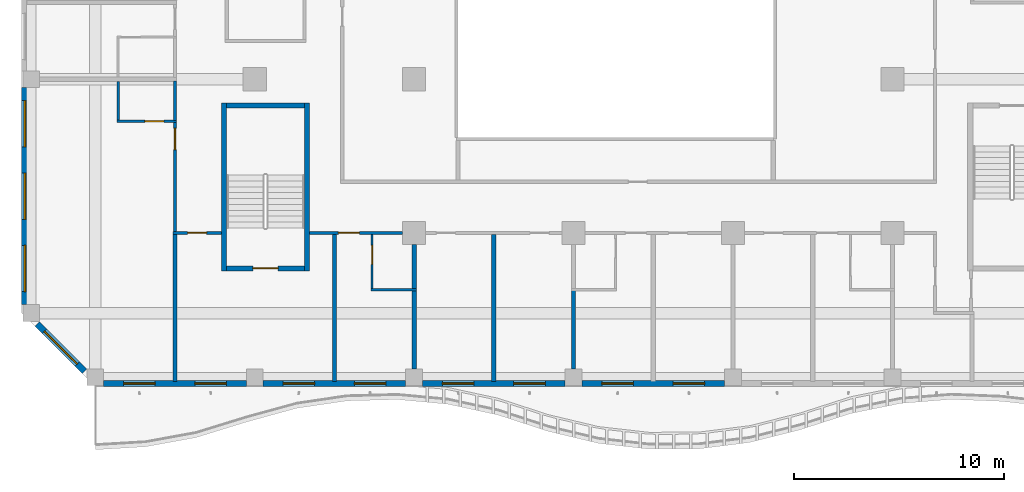
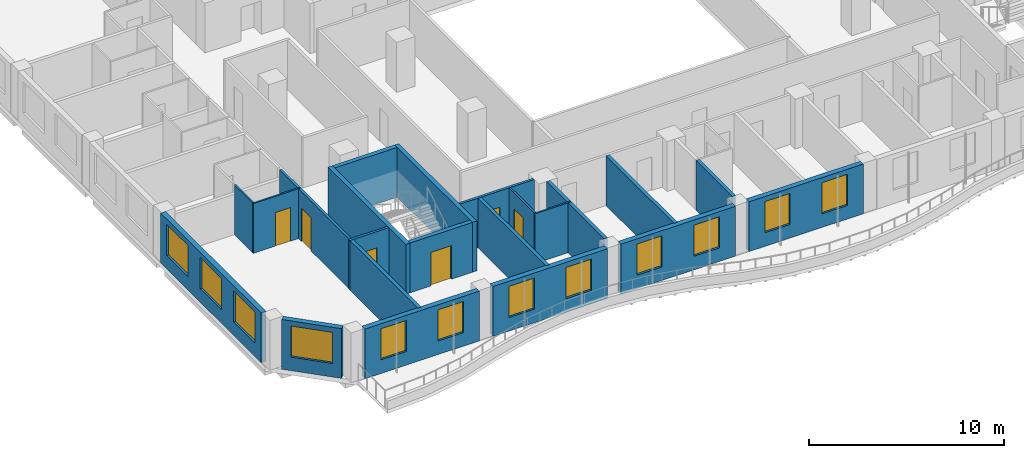
# One storey, part 2 of 21: 24 walls, 12 windows, 6 doors, 18 openings.
"""IFC4 building model written with IfcOpenShell, lengths in metres."""

from ifc_helpers import new_model, si_unit, direction, frame, frame_2d, origin, place, context, subcontext, project, spatial, rectangle, extrude, source, transform, mapped, material, layer, layer_set, type_object, element, fill, save


model = new_model("IFC4")

# Units and contexts
model_context = context("Model", 3, precision=1e-05, world=origin(), true_north=direction((0.0, 1.0)))
body_context = subcontext(model_context, "Body", "Model", "MODEL_VIEW")
ifc_project = project(units=[si_unit("LENGTHUNIT", "METRE"), si_unit("AREAUNIT", "SQUARE_METRE"), si_unit("VOLUMEUNIT", "CUBIC_METRE"), si_unit("PLANEANGLEUNIT", "RADIAN"), si_unit("MASSUNIT", "GRAM", prefix="KILO")], contexts=[model_context])

# Site, building, storey
site_placement = place(None, origin())
site = spatial("IfcSite", under=ifc_project, at=site_placement, CompositionType="ELEMENT")
building_placement = place(site_placement, origin())
building = spatial("IfcBuilding", under=site, at=building_placement, Name="Kilnfold Tower and Market Hall", CompositionType="ELEMENT")
storey_placement = place(building_placement, frame((0.0, 0.0, 147.300048828125)))
storey = spatial("IfcBuildingStorey", under=building, at=storey_placement, Name="L33", CompositionType="ELEMENT", Elevation=147.300048828125)

# Wall, opening, door
ifc_material_1 = material(Name="Gypsum board on steel studs", Category="steel")
ifc_layer_1 = layer(ifc_material_1, 0.14990234375)
ifc_layer_set_1 = layer_set([ifc_layer_1], Name="Gypsum board on steel studs")
wall_type_1 = type_object("IfcWallType", Name="WALL CORRIDOR 150", PredefinedType="PARTITIONING", material=ifc_layer_set_1)
wall_1_placement = place(storey_placement, frame((-13.550048828125, -13.93798828125, 0.0), z_axis=(0.0, 0.0, 1.0), x_axis=(1.0, 0.0, 0.0)))
wall_1 = element("IfcWall", 1, at=wall_1_placement, inside=storey, type_object=wall_type_1, Name="Partition LY21.1", PredefinedType="PARTITIONING", context=body_context, shape_type="SweptSolid", body=[
    extrude(rectangle(XDim=4.4169921875, YDim=0.14990234375, at=frame_2d((2.20849609375, 0.0))), origin(), (0.0, 0.0, 1.0), 3.119873046875),
])
opening_1_placement = place(wall_1_placement, frame((1.364990234375, 0.0, 0.0)))
opening_1 = element("IfcOpeningElement", 2, at=opening_1_placement, cuts=wall_1, Name="Opening D1", PredefinedType="OPENING", context=body_context, shape_type="SweptSolid", body=[
    extrude(rectangle(XDim=1.0, YDim=2.10009765625, at=frame_2d((0.5, 1.050048828125))), frame((0.0, 0.0849609375, 0.0), z_axis=(0.0, -1.0, 0.0), x_axis=(1.0, 0.0, 0.0)), (0.0, 0.0, 1.0), 0.169921875),
])
ifc_material_2 = material(Name="Timber veneer door leaf in steel frame", Category="steel")
door_type_1 = type_object("IfcDoorType", Name="DOOR ENTRY 1000 X2100", OperationType="NOTDEFINED", PredefinedType="DOOR", material=ifc_material_2)
door_1_placement = place(opening_1_placement, origin())
door_1 = element("IfcDoor", 3, at=door_1_placement, inside=storey, type_object=door_type_1, Name="Door D1", OperationType="SINGLE_SWING_LEFT", OverallHeight=2.10009765625, OverallWidth=1.0, PredefinedType="DOOR", context=body_context, shape_type="SweptSolid", body=[
    extrude(rectangle(XDim=1.0, YDim=2.10009765625, at=frame_2d((0.5, 1.050048828125))), frame((0.0, 0.02490234375, 0.0), z_axis=(0.0, -1.0, 0.0), x_axis=(1.0, 0.0, 0.0)), (0.0, 0.0, 1.0), 0.050048828125),
])
fill(opening_1, door_1)

wall_2_placement = place(storey_placement, frame((-20.05908203125, -13.93798828125, 0.0), z_axis=(0.0, 0.0, 1.0), x_axis=(1.0, 0.0, 0.0)))
wall_2 = element("IfcWall", 4, at=wall_2_placement, inside=storey, type_object=wall_type_1, Name="Partition LY21.2", PredefinedType="PARTITIONING", context=body_context, shape_type="SweptSolid", body=[
    extrude(rectangle(XDim=2.30908203125, YDim=0.14990234375, at=frame_2d((1.154541015625, 0.0))), origin(), (0.0, 0.0, 1.0), 3.119873046875),
])
opening_2_placement = place(wall_2_placement, frame((0.705078125, 0.0, 0.0)))
opening_2 = element("IfcOpeningElement", 5, at=opening_2_placement, cuts=wall_2, Name="Opening D2", PredefinedType="OPENING", context=body_context, shape_type="SweptSolid", body=[
    extrude(rectangle(XDim=0.89990234375, YDim=2.10009765625, at=frame_2d((0.449951171875, 1.050048828125))), frame((0.0, 0.0849609375, 0.0), z_axis=(0.0, -1.0, 0.0), x_axis=(1.0, 0.0, 0.0)), (0.0, 0.0, 1.0), 0.169921875),
])
ifc_material_3 = material(Name="Timber veneer door leaf in steel frame", Category="steel")
door_type_2 = type_object("IfcDoorType", Name="DOOR ROOM 900 X2100", OperationType="NOTDEFINED", PredefinedType="DOOR", material=ifc_material_3)
door_2_placement = place(opening_2_placement, origin())
door_2 = element("IfcDoor", 6, at=door_2_placement, inside=storey, type_object=door_type_2, Name="Door D2", OperationType="SINGLE_SWING_RIGHT", OverallHeight=2.10009765625, OverallWidth=0.89990234375, PredefinedType="DOOR", context=body_context, shape_type="SweptSolid", body=[
    extrude(rectangle(XDim=0.89990234375, YDim=2.10009765625, at=frame_2d((0.449951171875, 1.050048828125))), frame((0.0, 0.02490234375, 0.0), z_axis=(0.0, -1.0, 0.0), x_axis=(1.0, 0.0, 0.0)), (0.0, 0.0, 1.0), 0.050048828125),
])
fill(opening_2, door_2)

wall_3_placement = place(storey_placement, frame((-19.958984375, -13.863037109375, 0.0), z_axis=(0.0, 0.0, 1.0), x_axis=(0.0, 1.0, 0.0)))
wall_3 = element("IfcWall", 7, at=wall_3_placement, inside=storey, type_object=wall_type_1, Name="Partition LY21.10", PredefinedType="PARTITIONING", context=body_context, shape_type="SweptSolid", body=[
    extrude(rectangle(XDim=5.197998046875, YDim=0.14990234375, at=frame_2d((2.59912109375, 0.0))), origin(), (0.0, 0.0, 1.0), 3.119873046875),
])
opening_3_placement = place(wall_3_placement, frame((3.89501953125, 0.0, 0.0)))
opening_3 = element("IfcOpeningElement", 8, at=opening_3_placement, cuts=wall_3, Name="Opening D1", PredefinedType="OPENING", context=body_context, shape_type="SweptSolid", body=[
    extrude(rectangle(XDim=1.0, YDim=2.10009765625, at=frame_2d((0.5, 1.050048828125))), frame((0.0, 0.0849609375, 0.0), z_axis=(0.0, -1.0, 0.0), x_axis=(1.0, 0.0, 0.0)), (0.0, 0.0, 1.0), 0.169921875),
])
door_3_placement = place(opening_3_placement, origin())
door_3 = element("IfcDoor", 9, at=door_3_placement, inside=storey, type_object=door_type_1, Name="Door D1", OperationType="SINGLE_SWING_RIGHT", OverallHeight=2.10009765625, OverallWidth=1.0, PredefinedType="DOOR", context=body_context, shape_type="SweptSolid", body=[
    extrude(rectangle(XDim=1.0, YDim=2.10009765625, at=frame_2d((0.5, 1.050048828125))), frame((0.0, 0.02490234375, 0.0), z_axis=(0.0, -1.0, 0.0), x_axis=(1.0, 0.0, 0.0)), (0.0, 0.0, 1.0), 0.050048828125),
])
fill(opening_3, door_3)

# Wall
wall_4_placement = place(storey_placement, frame((-19.958984375, -8.5849609375, 0.0), z_axis=(0.0, 0.0, 1.0), x_axis=(0.0, 1.0, 0.0)))
element("IfcWall", 10, at=wall_4_placement, inside=storey, type_object=wall_type_1, Name="Partition LY21.11", PredefinedType="PARTITIONING", context=body_context, shape_type="SweptSolid", body=[
    extrude(rectangle(XDim=1.869873046875, YDim=0.14990234375, at=frame_2d((0.93505859375, 0.0))), origin(), (0.0, 0.0, 1.0), 3.119873046875),
])

# Wall, opening, door
ifc_material_4 = material(Name="Gypsum board on steel studs", Category="steel")
ifc_layer_2 = layer(ifc_material_4, 0.10009765625)
ifc_layer_set_2 = layer_set([ifc_layer_2], Name="Gypsum board on steel studs")
wall_type_2 = type_object("IfcWallType", Name="WALL PARTITION 100", PredefinedType="PARTITIONING", material=ifc_layer_set_2)
wall_5_placement = place(storey_placement, frame((-10.5830078125, -16.590087890625, 0.0), z_axis=(0.0, 0.0, 1.0), x_axis=(0.0, 1.0, 0.0)))
wall_5 = element("IfcWall", 11, at=wall_5_placement, inside=storey, type_object=wall_type_2, Name="Partition LY21.47", PredefinedType="PARTITIONING", context=body_context, shape_type="SweptSolid", body=[
    extrude(rectangle(XDim=2.5751953125, YDim=0.10009765625, at=frame_2d((1.28759765625, 0.0))), origin(), (0.0, 0.0, 1.0), 3.119873046875),
])
opening_4_placement = place(wall_5_placement, frame((1.156005859375, 0.0, 0.0)))
opening_4 = element("IfcOpeningElement", 12, at=opening_4_placement, cuts=wall_5, Name="Opening D3", PredefinedType="OPENING", context=body_context, shape_type="SweptSolid", body=[
    extrude(rectangle(XDim=0.89990234375, YDim=2.10009765625, at=frame_2d((0.449951171875, 1.050048828125))), frame((0.0, 0.06005859375, 0.0), z_axis=(0.0, -1.0, 0.0), x_axis=(1.0, 0.0, 0.0)), (0.0, 0.0, 1.0), 0.1201171875),
])
ifc_material_5 = material(Name="Timber veneer door leaf in steel frame", Category="steel")
door_type_3 = type_object("IfcDoorType", Name="DOOR WC 900 X2100", OperationType="NOTDEFINED", PredefinedType="DOOR", material=ifc_material_5)
door_4_placement = place(opening_4_placement, origin())
door_4 = element("IfcDoor", 13, at=door_4_placement, inside=storey, type_object=door_type_3, Name="Door D3", OperationType="SINGLE_SWING_RIGHT", OverallHeight=2.10009765625, OverallWidth=0.89990234375, PredefinedType="DOOR", context=body_context, shape_type="SweptSolid", body=[
    extrude(rectangle(XDim=0.89990234375, YDim=2.10009765625, at=frame_2d((0.449951171875, 1.050048828125))), frame((0.0, 0.02490234375, 0.0), z_axis=(0.0, -1.0, 0.0), x_axis=(1.0, 0.0, 0.0)), (0.0, 0.0, 1.0), 0.050048828125),
])
fill(opening_4, door_4)

# Walls
wall_6_placement = place(storey_placement, frame((-10.633056640625, -16.639892578125, 0.0), z_axis=(0.0, 0.0, 1.0), x_axis=(1.0, 0.0, 0.0)))
element("IfcWall", 14, at=wall_6_placement, inside=storey, type_object=wall_type_2, Name="Partition LY21.48", PredefinedType="PARTITIONING", context=body_context, shape_type="SweptSolid", body=[
    extrude(rectangle(XDim=2.150146484375, YDim=0.10009765625, at=frame_2d((1.0751953125, 0.0))), origin(), (0.0, 0.0, 1.0), 3.119873046875),
])
wall_7_placement = place(storey_placement, frame((-22.658935546875, -8.574951171875, 0.0), z_axis=(0.0, 0.0, 1.0), x_axis=(0.0, 1.0, 0.0)))
element("IfcWall", 15, at=wall_7_placement, inside=storey, type_object=wall_type_2, Name="Partition LY21.65", PredefinedType="PARTITIONING", context=body_context, shape_type="SweptSolid", body=[
    extrude(rectangle(XDim=1.849853515625, YDim=0.10009765625, at=frame_2d((0.9248046875, 0.0))), origin(), (0.0, 0.0, 1.0), 3.119873046875),
])

# Wall, opening, door
wall_8_placement = place(storey_placement, frame((-19.885986328125, -8.625, 0.0), z_axis=(0.0, 0.0, 1.0), x_axis=(-1.0, 0.0, 0.0)))
wall_8 = element("IfcWall", 16, at=wall_8_placement, inside=storey, type_object=wall_type_2, Name="Partition LY21.66", PredefinedType="PARTITIONING", context=body_context, shape_type="SweptSolid", body=[
    extrude(rectangle(XDim=2.822998046875, YDim=0.10009765625, at=frame_2d((1.41162109375, 0.0))), origin(), (0.0, 0.0, 1.0), 3.119873046875),
])
opening_5_placement = place(wall_8_placement, frame((0.60595703125, 0.0, 0.0)))
opening_5 = element("IfcOpeningElement", 17, at=opening_5_placement, cuts=wall_8, Name="Opening D3", PredefinedType="OPENING", context=body_context, shape_type="SweptSolid", body=[
    extrude(rectangle(XDim=0.89990234375, YDim=2.10009765625, at=frame_2d((0.449951171875, 1.050048828125))), frame((0.0, 0.06005859375, 0.0), z_axis=(0.0, -1.0, 0.0), x_axis=(1.0, 0.0, 0.0)), (0.0, 0.0, 1.0), 0.1201171875),
])
door_5_placement = place(opening_5_placement, origin())
door_5 = element("IfcDoor", 18, at=door_5_placement, inside=storey, type_object=door_type_3, Name="Door D3", OperationType="SINGLE_SWING_LEFT", OverallHeight=2.10009765625, OverallWidth=0.89990234375, PredefinedType="DOOR", context=body_context, shape_type="SweptSolid", body=[
    extrude(rectangle(XDim=0.89990234375, YDim=2.10009765625, at=frame_2d((0.449951171875, 1.050048828125))), frame((0.0, 0.02490234375, 0.0), z_axis=(0.0, -1.0, 0.0), x_axis=(1.0, 0.0, 0.0)), (0.0, 0.0, 1.0), 0.050048828125),
])
fill(opening_5, door_5)

# Walls
ifc_material_6 = material(Name="Gypsum board on steel studs", Category="steel")
ifc_layer_3 = layer(ifc_material_6, 0.199951171875)
ifc_layer_set_3 = layer_set([ifc_layer_3], Name="Gypsum board on steel studs")
wall_type_3 = type_object("IfcWallType", Name="WALL PARTY 200", PredefinedType="PARTITIONING", material=ifc_layer_set_3)
for number, where, z_axis, x_axis, name in (
    (19, (-12.375, -21.0, 0.0), (0.0, 0.0, 1.0), (0.0, 1.0, 0.0), "Partition LY21.45"),
    (20, (-19.958984375, -21.0, 0.0), (0.0, 0.0, 1.0), (0.0, 1.0, 0.0), "Partition LY21.46"),
):
    element("IfcWall", number, at=place(storey_placement, frame(where, z_axis=z_axis, x_axis=x_axis)), inside=storey, type_object=wall_type_3, Name=name, PredefinedType="PARTITIONING", context=body_context, shape_type="SweptSolid", body=[
        extrude(rectangle(XDim=6.985107421875, YDim=0.199951171875, at=frame_2d((3.49267578125, 0.0))), origin(), (0.0, 0.0, 1.0), 3.119873046875),
    ])
wall_9_placement = place(storey_placement, frame((-8.5830078125, -20.39990234375, 0.0), z_axis=(0.0, 0.0, 1.0), x_axis=(0.0, 1.0, 0.0)))
element("IfcWall", 21, at=wall_9_placement, inside=storey, type_object=wall_type_3, Name="Partition LY21.49", PredefinedType="PARTITIONING", context=body_context, shape_type="SweptSolid", body=[
    extrude(rectangle(XDim=3.7099609375, YDim=0.199951171875, at=frame_2d((1.85498046875, 0.0))), origin(), (0.0, 0.0, 1.0), 3.119873046875),
])
wall_10_placement = place(storey_placement, frame((-8.5830078125, -16.590087890625, 0.0), z_axis=(0.0, 0.0, 1.0), x_axis=(0.0, 1.0, 0.0)))
element("IfcWall", 22, at=wall_10_placement, inside=storey, type_object=wall_type_3, Name="Partition LY21.50", PredefinedType="PARTITIONING", context=body_context, shape_type="SweptSolid", body=[
    extrude(rectangle(XDim=2.10205078125, YDim=0.199951171875, at=frame_2d((1.051025390625, 0.0))), origin(), (0.0, 0.0, 1.0), 3.119873046875),
])
wall_11_placement = place(storey_placement, frame((-4.7919921875, -21.0, 0.0), z_axis=(0.0, 0.0, 1.0), x_axis=(0.0, 1.0, 0.0)))
element("IfcWall", 23, at=wall_11_placement, inside=storey, type_object=wall_type_3, Name="Partition LY21.51", PredefinedType="PARTITIONING", context=body_context, shape_type="SweptSolid", body=[
    extrude(rectangle(XDim=6.985107421875, YDim=0.199951171875, at=frame_2d((3.49267578125, 0.0))), origin(), (0.0, 0.0, 1.0), 3.119873046875),
])
wall_12_placement = place(storey_placement, frame((-1.0, -20.39990234375, 0.0), z_axis=(0.0, 0.0, 1.0), x_axis=(0.0, 1.0, 0.0)))
element("IfcWall", 24, at=wall_12_placement, inside=storey, type_object=wall_type_3, Name="Partition LY21.52", PredefinedType="PARTITIONING", context=body_context, shape_type="SweptSolid", body=[
    extrude(rectangle(XDim=3.719970703125, YDim=0.199951171875, at=frame_2d((1.85986328125, 0.0))), origin(), (0.0, 0.0, 1.0), 3.119873046875),
])

# Wall, opening, door
ifc_material_7 = material(Name="Concrete C70", Category="concrete")
ifc_layer_4 = layer(ifc_material_7, 0.25)
ifc_layer_set_4 = layer_set([ifc_layer_4], Name="Concrete C70")
wall_type_4 = type_object("IfcWallType", Name="CORE WALL 250 C70", PredefinedType="SHEAR", material=ifc_layer_set_4)
shared_shape_1 = source(origin(), body_context, "Body", "SweptSolid", [
    extrude(rectangle(XDim=3.699951171875, YDim=0.25, at=frame_2d((1.85009765625, 0.0))), origin(), (0.0, 0.0, 1.0), 3.119873046875),
])
wall_13_placement = place(storey_placement, frame((-17.5, -15.625, 0.0), z_axis=(0.0, 0.0, 1.0), x_axis=(1.0, 0.0, 0.0)))
wall_13 = element("IfcWall", 25, at=wall_13_placement, inside=storey, type_object=wall_type_4, Name="Stair enclosure ST3", PredefinedType="SHEAR", context=body_context, shape_type="MappedRepresentation", body=[
    mapped(shared_shape_1, transform((0.0, 0.0, 0.0))),
])
opening_6_placement = place(wall_13_placement, frame((1.25, 0.0, 0.0)))
opening_6 = element("IfcOpeningElement", 26, at=opening_6_placement, cuts=wall_13, Name="Opening SD1", PredefinedType="OPENING", context=body_context, shape_type="SweptSolid", body=[
    extrude(rectangle(XDim=1.199951171875, YDim=2.10009765625, at=frame_2d((0.60009765625, 1.050048828125))), frame((0.0, 0.135009765625, 0.0), z_axis=(0.0, -1.0, 0.0), x_axis=(1.0, 0.0, 0.0)), (0.0, 0.0, 1.0), 0.27001953125),
])
ifc_material_8 = material(Name="Steel door set with fire-resisting leaf", Category="steel")
door_type_4 = type_object("IfcDoorType", Name="STAIR FLOOR DOOR 1200X2100", OperationType="NOTDEFINED", PredefinedType="DOOR", material=ifc_material_8)
door_6_placement = place(opening_6_placement, origin())
door_6 = element("IfcDoor", 27, at=door_6_placement, inside=storey, type_object=door_type_4, Name="Exit stair ST3 door", OperationType="DOUBLE_DOOR_SINGLE_SWING", OverallHeight=2.10009765625, OverallWidth=1.199951171875, PredefinedType="DOOR", context=body_context, shape_type="SweptSolid", body=[
    extrude(rectangle(XDim=1.199951171875, YDim=2.10009765625, at=frame_2d((0.60009765625, 1.050048828125))), frame((0.0, 0.02490234375, 0.0), z_axis=(0.0, -1.0, 0.0), x_axis=(1.0, 0.0, 0.0)), (0.0, 0.0, 1.0), 0.050048828125),
])
fill(opening_6, door_6)

# Walls
wall_14_placement = place(storey_placement, frame((-17.5, -7.875, 0.0), z_axis=(0.0, 0.0, 1.0), x_axis=(1.0, 0.0, 0.0)))
element("IfcWall", 28, at=wall_14_placement, inside=storey, type_object=wall_type_4, Name="Stair enclosure ST3", PredefinedType="SHEAR", context=body_context, shape_type="MappedRepresentation", body=[
    mapped(shared_shape_1, transform((0.0, 0.0, 0.0))),
])
shared_shape_2 = source(origin(), body_context, "Body", "SweptSolid", [
    extrude(rectangle(XDim=8.0, YDim=0.25, at=frame_2d((4.0, 0.0))), origin(), (0.0, 0.0, 1.0), 3.119873046875),
])
for number, where, z_axis, x_axis, name in (
    (29, (-17.625, -15.75, 0.0), (0.0, 0.0, 1.0), (0.0, 1.0, 0.0), "Stair enclosure ST3"),
    (30, (-13.675048828125, -15.75, 0.0), (0.0, 0.0, 1.0), (0.0, 1.0, 0.0), "Stair enclosure ST3"),
):
    element("IfcWall", number, at=place(storey_placement, frame(where, z_axis=z_axis, x_axis=x_axis)), inside=storey, type_object=wall_type_4, Name=name, PredefinedType="SHEAR", context=body_context, shape_type="MappedRepresentation", body=[
        mapped(shared_shape_2, transform((0.0, 0.0, 0.0))),
    ])

# Wall, openings, windows
ifc_material_9 = material(Name="Precast concrete C50/60", Category="concrete")
ifc_layer_5 = layer(ifc_material_9, 0.300048828125)
ifc_layer_set_5 = layer_set([ifc_layer_5], Name="Precast concrete C50/60")
wall_type_5 = type_object("IfcWallType", Name="PRECAST WALL 300", PredefinedType="SOLIDWALL", material=ifc_layer_set_5)
shared_shape_3 = source(origin(), body_context, "Body", "SweptSolid", [
    extrude(rectangle(XDim=6.783447265625, YDim=0.300048828125, at=frame_2d((3.3916015625, 0.0))), origin(), (0.0, 0.0, 1.0), 3.119873046875),
])
wall_15_placement = place(storey_placement, frame((-23.35009765625, -21.10009765625, 0.0), z_axis=(0.0, 0.0, 1.0), x_axis=(1.0, 0.0, 0.0)))
wall_15 = element("IfcWall", 31, at=wall_15_placement, inside=storey, type_object=wall_type_5, Name="External wall L33 S", PredefinedType="SOLIDWALL", context=body_context, shape_type="MappedRepresentation", body=[
    mapped(shared_shape_3, transform((0.0, 0.0, 0.0))),
])
opening_7_placement = place(wall_15_placement, frame((0.94580078125, 0.0, 0.85009765625)))
opening_7 = element("IfcOpeningElement", 32, at=opening_7_placement, cuts=wall_15, Name="Opening W4", PredefinedType="OPENING", context=body_context, shape_type="SweptSolid", body=[
    extrude(rectangle(XDim=1.5, YDim=1.949951171875, at=frame_2d((0.75, 0.97509765625))), frame((0.0, 0.16015625, 0.0), z_axis=(0.0, -1.0, 0.0), x_axis=(1.0, 0.0, 0.0)), (0.0, 0.0, 1.0), 0.320068359375),
])
opening_8_placement = place(wall_15_placement, frame((4.33740234375, 0.0, 0.85009765625)))
opening_8 = element("IfcOpeningElement", 33, at=opening_8_placement, cuts=wall_15, Name="Opening W4", PredefinedType="OPENING", context=body_context, shape_type="SweptSolid", body=[
    extrude(rectangle(XDim=1.5, YDim=1.949951171875, at=frame_2d((0.75, 0.97509765625))), frame((0.0, 0.16015625, 0.0), z_axis=(0.0, -1.0, 0.0), x_axis=(1.0, 0.0, 0.0)), (0.0, 0.0, 1.0), 0.320068359375),
])
ifc_material_10 = material(Name="Aluminium frame and double glazing", Category="aluminium")
window_type_1 = type_object("IfcWindowType", Name="WINDOW W4 1500X1950", PartitioningType="SINGLE_PANEL", PredefinedType="WINDOW", material=ifc_material_10)
window_1_placement = place(opening_7_placement, origin())
window_1 = element("IfcWindow", 34, at=window_1_placement, inside=storey, type_object=window_type_1, Name="Window W4 L33 S-1", OverallHeight=1.949951171875, OverallWidth=1.5, PartitioningType="SINGLE_PANEL", PredefinedType="WINDOW", context=body_context, shape_type="SweptSolid", body=[
    extrude(rectangle(XDim=1.5, YDim=1.949951171875, at=frame_2d((0.75, 0.97509765625))), frame((0.0, 0.030029296875, 0.0), z_axis=(0.0, -1.0, 0.0), x_axis=(1.0, 0.0, 0.0)), (0.0, 0.0, 1.0), 0.06005859375),
])
fill(opening_7, window_1)
window_2_placement = place(opening_8_placement, origin())
window_2 = element("IfcWindow", 35, at=window_2_placement, inside=storey, type_object=window_type_1, Name="Window W4 L33 S-2", OverallHeight=1.949951171875, OverallWidth=1.5, PartitioningType="SINGLE_PANEL", PredefinedType="WINDOW", context=body_context, shape_type="SweptSolid", body=[
    extrude(rectangle(XDim=1.5, YDim=1.949951171875, at=frame_2d((0.75, 0.97509765625))), frame((0.0, 0.030029296875, 0.0), z_axis=(0.0, -1.0, 0.0), x_axis=(1.0, 0.0, 0.0)), (0.0, 0.0, 1.0), 0.06005859375),
])
fill(opening_8, window_2)

wall_16_placement = place(storey_placement, frame((-8.183349609375, -21.10009765625, 0.0), z_axis=(0.0, 0.0, 1.0), x_axis=(1.0, 0.0, 0.0)))
wall_16 = element("IfcWall", 36, at=wall_16_placement, inside=storey, type_object=wall_type_5, Name="External wall L33 S", PredefinedType="SOLIDWALL", context=body_context, shape_type="MappedRepresentation", body=[
    mapped(shared_shape_3, transform((0.0, 0.0, 0.0))),
])
opening_9_placement = place(wall_16_placement, frame((0.94580078125, 0.0, 0.85009765625)))
opening_9 = element("IfcOpeningElement", 37, at=opening_9_placement, cuts=wall_16, Name="Opening W4", PredefinedType="OPENING", context=body_context, shape_type="SweptSolid", body=[
    extrude(rectangle(XDim=1.5, YDim=1.949951171875, at=frame_2d((0.75, 0.97509765625))), frame((0.0, 0.16015625, 0.0), z_axis=(0.0, -1.0, 0.0), x_axis=(1.0, 0.0, 0.0)), (0.0, 0.0, 1.0), 0.320068359375),
])
opening_10_placement = place(wall_16_placement, frame((4.33740234375, 0.0, 0.85009765625)))
opening_10 = element("IfcOpeningElement", 38, at=opening_10_placement, cuts=wall_16, Name="Opening W4", PredefinedType="OPENING", context=body_context, shape_type="SweptSolid", body=[
    extrude(rectangle(XDim=1.5, YDim=1.949951171875, at=frame_2d((0.75, 0.97509765625))), frame((0.0, 0.16015625, 0.0), z_axis=(0.0, -1.0, 0.0), x_axis=(1.0, 0.0, 0.0)), (0.0, 0.0, 1.0), 0.320068359375),
])
window_3_placement = place(opening_9_placement, origin())
window_3 = element("IfcWindow", 39, at=window_3_placement, inside=storey, type_object=window_type_1, Name="Window W4 L33 S-1", OverallHeight=1.949951171875, OverallWidth=1.5, PartitioningType="SINGLE_PANEL", PredefinedType="WINDOW", context=body_context, shape_type="SweptSolid", body=[
    extrude(rectangle(XDim=1.5, YDim=1.949951171875, at=frame_2d((0.75, 0.97509765625))), frame((0.0, 0.030029296875, 0.0), z_axis=(0.0, -1.0, 0.0), x_axis=(1.0, 0.0, 0.0)), (0.0, 0.0, 1.0), 0.06005859375),
])
fill(opening_9, window_3)
window_4_placement = place(opening_10_placement, origin())
window_4 = element("IfcWindow", 40, at=window_4_placement, inside=storey, type_object=window_type_1, Name="Window W4 L33 S-2", OverallHeight=1.949951171875, OverallWidth=1.5, PartitioningType="SINGLE_PANEL", PredefinedType="WINDOW", context=body_context, shape_type="SweptSolid", body=[
    extrude(rectangle(XDim=1.5, YDim=1.949951171875, at=frame_2d((0.75, 0.97509765625))), frame((0.0, 0.030029296875, 0.0), z_axis=(0.0, -1.0, 0.0), x_axis=(1.0, 0.0, 0.0)), (0.0, 0.0, 1.0), 0.06005859375),
])
fill(opening_10, window_4)

wall_17_placement = place(storey_placement, frame((-0.60009765625, -21.10009765625, 0.0), z_axis=(0.0, 0.0, 1.0), x_axis=(1.0, 0.0, 0.0)))
wall_17 = element("IfcWall", 41, at=wall_17_placement, inside=storey, type_object=wall_type_5, Name="External wall L33 S", PredefinedType="SOLIDWALL", context=body_context, shape_type="MappedRepresentation", body=[
    mapped(shared_shape_3, transform((0.0, 0.0, 0.0))),
])
opening_11_placement = place(wall_17_placement, frame((0.94580078125, 0.0, 0.85009765625)))
opening_11 = element("IfcOpeningElement", 42, at=opening_11_placement, cuts=wall_17, Name="Opening W4", PredefinedType="OPENING", context=body_context, shape_type="SweptSolid", body=[
    extrude(rectangle(XDim=1.5, YDim=1.949951171875, at=frame_2d((0.75, 0.97509765625))), frame((0.0, 0.16015625, 0.0), z_axis=(0.0, -1.0, 0.0), x_axis=(1.0, 0.0, 0.0)), (0.0, 0.0, 1.0), 0.320068359375),
])
opening_12_placement = place(wall_17_placement, frame((4.33740234375, 0.0, 0.85009765625)))
opening_12 = element("IfcOpeningElement", 43, at=opening_12_placement, cuts=wall_17, Name="Opening W4", PredefinedType="OPENING", context=body_context, shape_type="SweptSolid", body=[
    extrude(rectangle(XDim=1.5, YDim=1.949951171875, at=frame_2d((0.75, 0.97509765625))), frame((0.0, 0.16015625, 0.0), z_axis=(0.0, -1.0, 0.0), x_axis=(1.0, 0.0, 0.0)), (0.0, 0.0, 1.0), 0.320068359375),
])
window_5_placement = place(opening_11_placement, origin())
window_5 = element("IfcWindow", 44, at=window_5_placement, inside=storey, type_object=window_type_1, Name="Window W4 L33 S-1", OverallHeight=1.949951171875, OverallWidth=1.5, PartitioningType="SINGLE_PANEL", PredefinedType="WINDOW", context=body_context, shape_type="SweptSolid", body=[
    extrude(rectangle(XDim=1.5, YDim=1.949951171875, at=frame_2d((0.75, 0.97509765625))), frame((0.0, 0.030029296875, 0.0), z_axis=(0.0, -1.0, 0.0), x_axis=(1.0, 0.0, 0.0)), (0.0, 0.0, 1.0), 0.06005859375),
])
fill(opening_11, window_5)
window_6_placement = place(opening_12_placement, origin())
window_6 = element("IfcWindow", 45, at=window_6_placement, inside=storey, type_object=window_type_1, Name="Window W4 L33 S-2", OverallHeight=1.949951171875, OverallWidth=1.5, PartitioningType="SINGLE_PANEL", PredefinedType="WINDOW", context=body_context, shape_type="SweptSolid", body=[
    extrude(rectangle(XDim=1.5, YDim=1.949951171875, at=frame_2d((0.75, 0.97509765625))), frame((0.0, 0.030029296875, 0.0), z_axis=(0.0, -1.0, 0.0), x_axis=(1.0, 0.0, 0.0)), (0.0, 0.0, 1.0), 0.06005859375),
])
fill(opening_12, window_6)

shared_shape_4 = source(origin(), body_context, "Body", "SweptSolid", [
    extrude(rectangle(XDim=6.783203125, YDim=0.300048828125, at=frame_2d((3.3916015625, 0.0))), origin(), (0.0, 0.0, 1.0), 3.119873046875),
])
wall_18_placement = place(storey_placement, frame((-15.7666015625, -21.10009765625, 0.0), z_axis=(0.0, 0.0, 1.0), x_axis=(1.0, 0.0, 0.0)))
wall_18 = element("IfcWall", 46, at=wall_18_placement, inside=storey, type_object=wall_type_5, Name="External wall L33 S", PredefinedType="SOLIDWALL", context=body_context, shape_type="MappedRepresentation", body=[
    mapped(shared_shape_4, transform((0.0, 0.0, 0.0))),
])
opening_13_placement = place(wall_18_placement, frame((0.94580078125, 0.0, 0.85009765625)))
opening_13 = element("IfcOpeningElement", 47, at=opening_13_placement, cuts=wall_18, Name="Opening W4", PredefinedType="OPENING", context=body_context, shape_type="SweptSolid", body=[
    extrude(rectangle(XDim=1.5, YDim=1.949951171875, at=frame_2d((0.75, 0.97509765625))), frame((0.0, 0.16015625, 0.0), z_axis=(0.0, -1.0, 0.0), x_axis=(1.0, 0.0, 0.0)), (0.0, 0.0, 1.0), 0.320068359375),
])
opening_14_placement = place(wall_18_placement, frame((4.337646484375, 0.0, 0.85009765625)))
opening_14 = element("IfcOpeningElement", 48, at=opening_14_placement, cuts=wall_18, Name="Opening W4", PredefinedType="OPENING", context=body_context, shape_type="SweptSolid", body=[
    extrude(rectangle(XDim=1.5, YDim=1.949951171875, at=frame_2d((0.75, 0.97509765625))), frame((0.0, 0.16015625, 0.0), z_axis=(0.0, -1.0, 0.0), x_axis=(1.0, 0.0, 0.0)), (0.0, 0.0, 1.0), 0.320068359375),
])
window_7_placement = place(opening_13_placement, origin())
window_7 = element("IfcWindow", 49, at=window_7_placement, inside=storey, type_object=window_type_1, Name="Window W4 L33 S-1", OverallHeight=1.949951171875, OverallWidth=1.5, PartitioningType="SINGLE_PANEL", PredefinedType="WINDOW", context=body_context, shape_type="SweptSolid", body=[
    extrude(rectangle(XDim=1.5, YDim=1.949951171875, at=frame_2d((0.75, 0.97509765625))), frame((0.0, 0.030029296875, 0.0), z_axis=(0.0, -1.0, 0.0), x_axis=(1.0, 0.0, 0.0)), (0.0, 0.0, 1.0), 0.06005859375),
])
fill(opening_13, window_7)
window_8_placement = place(opening_14_placement, origin())
window_8 = element("IfcWindow", 50, at=window_8_placement, inside=storey, type_object=window_type_1, Name="Window W4 L33 S-2", OverallHeight=1.949951171875, OverallWidth=1.5, PartitioningType="SINGLE_PANEL", PredefinedType="WINDOW", context=body_context, shape_type="SweptSolid", body=[
    extrude(rectangle(XDim=1.5, YDim=1.949951171875, at=frame_2d((0.75, 0.97509765625))), frame((0.0, 0.030029296875, 0.0), z_axis=(0.0, -1.0, 0.0), x_axis=(1.0, 0.0, 0.0)), (0.0, 0.0, 1.0), 0.06005859375),
])
fill(opening_14, window_8)

shared_shape_5 = source(origin(), body_context, "Body", "SweptSolid", [
    extrude(rectangle(XDim=10.3251953125, YDim=0.300048828125, at=frame_2d((5.16259765625, 0.0))), origin(), (0.0, 0.0, 1.0), 3.119873046875),
])
wall_19_placement = place(storey_placement, frame((-27.10009765625, -7.02490234375, 0.0), z_axis=(0.0, 0.0, 1.0), x_axis=(0.0, -1.0, 0.0)))
wall_19 = element("IfcWall", 51, at=wall_19_placement, inside=storey, type_object=wall_type_5, Name="External wall L33 W", PredefinedType="SOLIDWALL", context=body_context, shape_type="MappedRepresentation", body=[
    mapped(shared_shape_5, transform((0.0, 0.0, 0.0))),
])
opening_15_placement = place(wall_19_placement, frame((0.620849609375, 0.0, 0.85009765625)))
opening_15 = element("IfcOpeningElement", 52, at=opening_15_placement, cuts=wall_19, Name="Opening W2", PredefinedType="OPENING", context=body_context, shape_type="SweptSolid", body=[
    extrude(rectangle(XDim=2.199951171875, YDim=1.949951171875, at=frame_2d((1.10009765625, 0.97509765625))), frame((0.0, 0.16015625, 0.0), z_axis=(0.0, -1.0, 0.0), x_axis=(1.0, 0.0, 0.0)), (0.0, 0.0, 1.0), 0.320068359375),
])
opening_16_placement = place(wall_19_placement, frame((4.0625, 0.0, 0.85009765625)))
opening_16 = element("IfcOpeningElement", 53, at=opening_16_placement, cuts=wall_19, Name="Opening W2", PredefinedType="OPENING", context=body_context, shape_type="SweptSolid", body=[
    extrude(rectangle(XDim=2.199951171875, YDim=1.949951171875, at=frame_2d((1.10009765625, 0.97509765625))), frame((0.0, 0.16015625, 0.0), z_axis=(0.0, -1.0, 0.0), x_axis=(1.0, 0.0, 0.0)), (0.0, 0.0, 1.0), 0.320068359375),
])
opening_17_placement = place(wall_19_placement, frame((7.504150390625, 0.0, 0.85009765625)))
opening_17 = element("IfcOpeningElement", 54, at=opening_17_placement, cuts=wall_19, Name="Opening W2", PredefinedType="OPENING", context=body_context, shape_type="SweptSolid", body=[
    extrude(rectangle(XDim=2.199951171875, YDim=1.949951171875, at=frame_2d((1.10009765625, 0.97509765625))), frame((0.0, 0.16015625, 0.0), z_axis=(0.0, -1.0, 0.0), x_axis=(1.0, 0.0, 0.0)), (0.0, 0.0, 1.0), 0.320068359375),
])
ifc_material_11 = material(Name="Aluminium frame and double glazing", Category="aluminium")
window_type_2 = type_object("IfcWindowType", Name="WINDOW W2 2200X1950", PartitioningType="SINGLE_PANEL", PredefinedType="WINDOW", material=ifc_material_11)
window_9_placement = place(opening_15_placement, origin())
window_9 = element("IfcWindow", 55, at=window_9_placement, inside=storey, type_object=window_type_2, Name="Window W2 L33 W-1", OverallHeight=1.949951171875, OverallWidth=2.199951171875, PartitioningType="SINGLE_PANEL", PredefinedType="WINDOW", context=body_context, shape_type="SweptSolid", body=[
    extrude(rectangle(XDim=2.199951171875, YDim=1.949951171875, at=frame_2d((1.10009765625, 0.97509765625))), frame((0.0, 0.030029296875, 0.0), z_axis=(0.0, -1.0, 0.0), x_axis=(1.0, 0.0, 0.0)), (0.0, 0.0, 1.0), 0.06005859375),
])
fill(opening_15, window_9)
window_10_placement = place(opening_16_placement, origin())
window_10 = element("IfcWindow", 56, at=window_10_placement, inside=storey, type_object=window_type_2, Name="Window W2 L33 W-2", OverallHeight=1.949951171875, OverallWidth=2.199951171875, PartitioningType="SINGLE_PANEL", PredefinedType="WINDOW", context=body_context, shape_type="SweptSolid", body=[
    extrude(rectangle(XDim=2.199951171875, YDim=1.949951171875, at=frame_2d((1.10009765625, 0.97509765625))), frame((0.0, 0.030029296875, 0.0), z_axis=(0.0, -1.0, 0.0), x_axis=(1.0, 0.0, 0.0)), (0.0, 0.0, 1.0), 0.06005859375),
])
fill(opening_16, window_10)
window_11_placement = place(opening_17_placement, origin())
window_11 = element("IfcWindow", 57, at=window_11_placement, inside=storey, type_object=window_type_2, Name="Window W2 L33 W-3", OverallHeight=1.949951171875, OverallWidth=2.199951171875, PartitioningType="SINGLE_PANEL", PredefinedType="WINDOW", context=body_context, shape_type="SweptSolid", body=[
    extrude(rectangle(XDim=2.199951171875, YDim=1.949951171875, at=frame_2d((1.10009765625, 0.97509765625))), frame((0.0, 0.030029296875, 0.0), z_axis=(0.0, -1.0, 0.0), x_axis=(1.0, 0.0, 0.0)), (0.0, 0.0, 1.0), 0.06005859375),
])
fill(opening_17, window_11)

# Wall, opening, window
shared_shape_6 = source(origin(), body_context, "Body", "SweptSolid", [
    extrude(rectangle(XDim=3.18212890625, YDim=0.300048828125, at=frame_2d((1.591064453125, 0.0))), origin(), (0.0, 0.0, 1.0), 3.119873046875),
])
wall_20_placement = place(storey_placement, frame((-26.518798828125, -18.268798828125, 0.0), z_axis=(0.0, 0.0, 1.0), x_axis=(0.707068419229, -0.707145141063, 0.0)))
wall_20 = element("IfcWall", 58, at=wall_20_placement, inside=storey, type_object=wall_type_5, Name="External wall L33 SW", PredefinedType="SOLIDWALL", context=body_context, shape_type="MappedRepresentation", body=[
    mapped(shared_shape_6, transform((0.0, 0.0, 0.0))),
])
opening_18_placement = place(wall_20_placement, frame((0.490966796875, 0.0, 0.85009765625)))
opening_18 = element("IfcOpeningElement", 59, at=opening_18_placement, cuts=wall_20, Name="Opening W2", PredefinedType="OPENING", context=body_context, shape_type="SweptSolid", body=[
    extrude(rectangle(XDim=2.199951171875, YDim=1.949951171875, at=frame_2d((1.10009765625, 0.97509765625))), frame((0.0, 0.16015625, 0.0), z_axis=(0.0, -1.0, 0.0), x_axis=(1.0, 0.0, 0.0)), (0.0, 0.0, 1.0), 0.320068359375),
])
window_12_placement = place(opening_18_placement, origin())
window_12 = element("IfcWindow", 60, at=window_12_placement, inside=storey, type_object=window_type_2, Name="Window W2 L33 SW-1", OverallHeight=1.949951171875, OverallWidth=2.199951171875, PartitioningType="SINGLE_PANEL", PredefinedType="WINDOW", context=body_context, shape_type="SweptSolid", body=[
    extrude(rectangle(XDim=2.199951171875, YDim=1.949951171875, at=frame_2d((1.10009765625, 0.97509765625))), frame((0.0, 0.030029296875, 0.0), z_axis=(0.0, -1.0, 0.0), x_axis=(1.0, 0.0, 0.0)), (0.0, 0.0, 1.0), 0.06005859375),
])
fill(opening_18, window_12)

save(model, "model.ifc")
